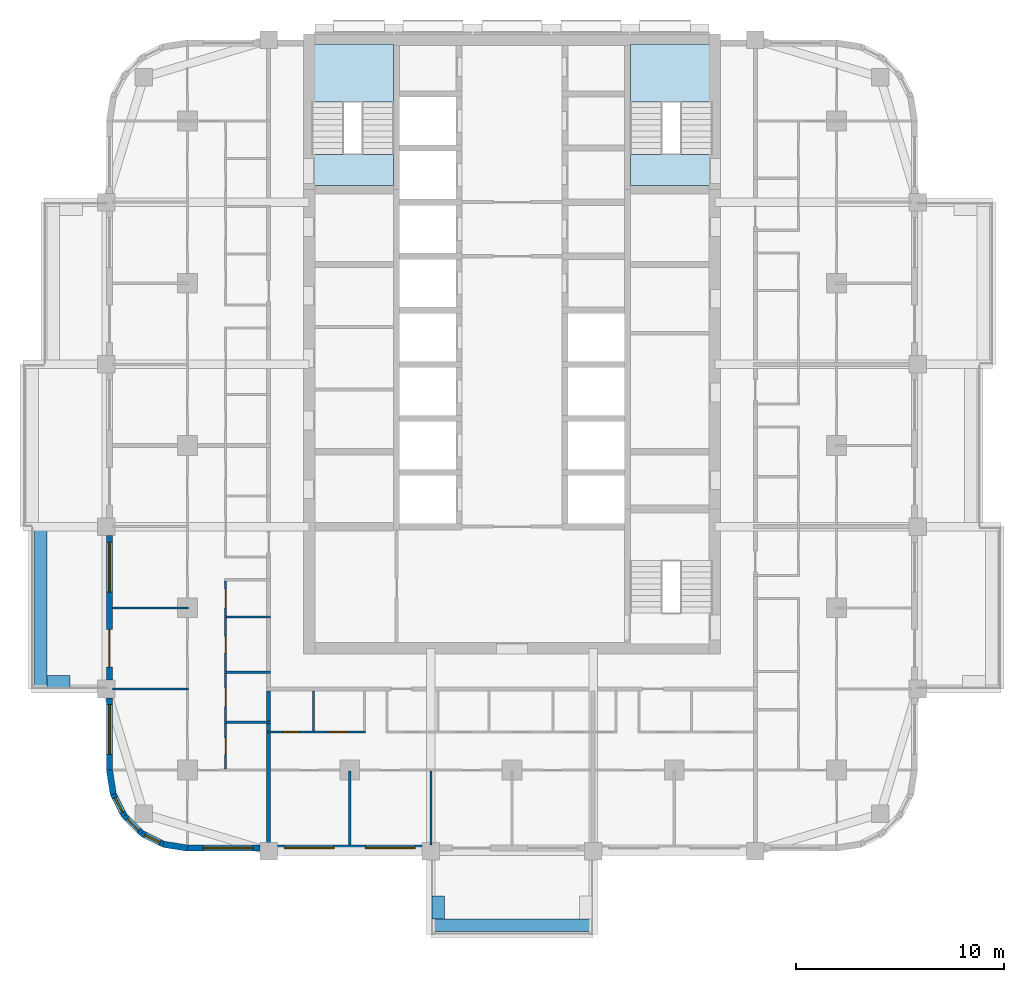
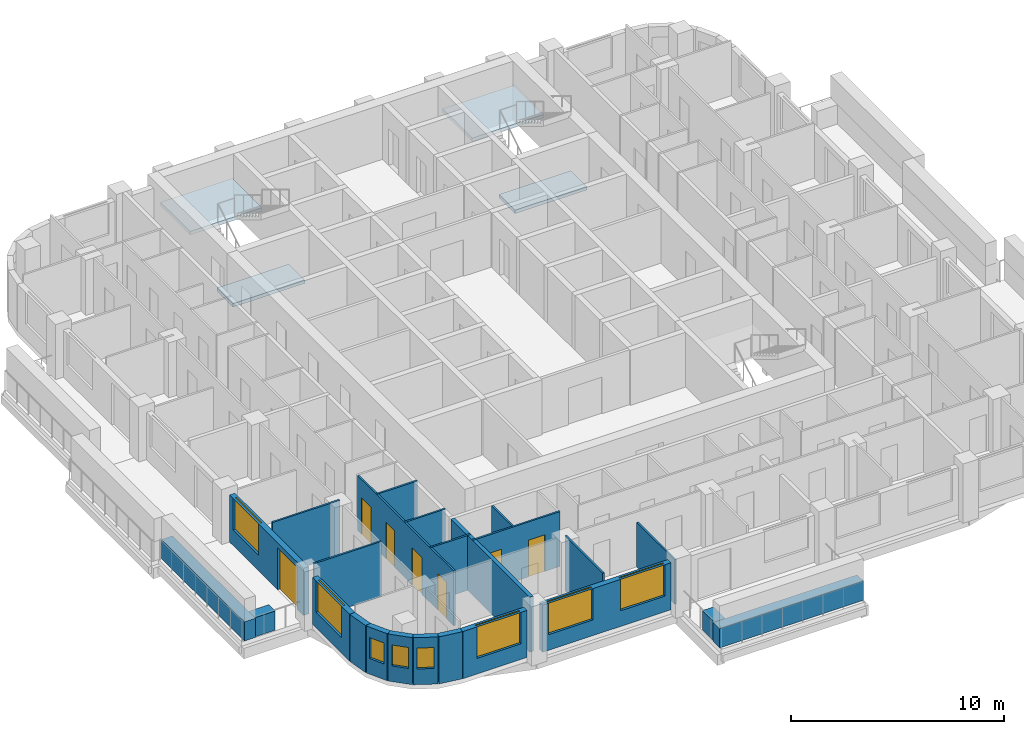
# One storey, part 2 of 14: 24 walls, 8 windows, 7 doors, 4 slabs, 15 openings, 2 elements without a shape of their own.
"""IFC4 building model written with IfcOpenShell, lengths in metres."""

from ifc_helpers import new_model, si_unit, direction, frame, frame_2d, origin, place, context, subcontext, project, spatial, polyline, rectangle, outline, extrude, material, layer, layer_set, type_object, element, fill, aggregate, save


model = new_model("IFC4")

# Units and contexts
model_context = context("Model", 3, precision=1e-05, world=origin(), true_north=direction((0.0, 1.0)))
body_context = subcontext(model_context, "Body", "Model", "MODEL_VIEW")
ifc_project = project(units=[si_unit("LENGTHUNIT", "METRE"), si_unit("AREAUNIT", "SQUARE_METRE"), si_unit("VOLUMEUNIT", "CUBIC_METRE"), si_unit("PLANEANGLEUNIT", "RADIAN"), si_unit("MASSUNIT", "GRAM", prefix="KILO")], contexts=[model_context])

# Site, building, storey
site_placement = place(None, origin())
site = spatial("IfcSite", under=ifc_project, at=site_placement, CompositionType="ELEMENT")
building_placement = place(site_placement, origin())
building = spatial("IfcBuilding", under=site, at=building_placement, Name="Ludao Terraces", CompositionType="ELEMENT")
storey_placement = place(building_placement, frame((0.0, 0.0, 103.300048828125)))
storey = spatial("IfcBuildingStorey", under=building, at=storey_placement, Name="L28", CompositionType="ELEMENT", Elevation=103.300048828125)

# Stair, slabs
ifc_material_1 = material(Name="Concrete C40", Category="concrete")
stair_type = type_object("IfcStairType", Name="INT Stair", PredefinedType="HALF_TURN_STAIR", material=ifc_material_1)
stair_1_placement = place(storey_placement, origin())
stair_1 = element("IfcStair", 1, at=stair_1_placement, inside=storey, type_object=stair_type, Name="EXIT STAIR 1", PredefinedType="HALF_TURN_STAIR")
ifc_layer_1 = layer(ifc_material_1, 0.199951171875)
ifc_layer_set_1 = layer_set([ifc_layer_1], Name="INT Stair landing 200")
slab_type = type_object("IfcSlabType", Name="INT Stair landing 200", PredefinedType="LANDING", material=ifc_layer_set_1)
slab_1_placement = place(storey_placement, frame((0.0, 0.0, 1.5)))
slab_1 = element("IfcSlab", 2, at=slab_1_placement, type_object=slab_type, Name="ST1 landing 1", PredefinedType="LANDING", context=body_context, shape_type="SweptSolid", body=[
    extrude(outline(polyline([(75.39990234375, 81.52001953125), (79.300048828125, 81.52001953125), (79.300048828125, 84.300048828125), (75.39990234375, 84.300048828125), (75.39990234375, 81.52001953125)])), origin(), (0.0, 0.0, 1.0), 0.199951171875),
])
slab_2_placement = place(storey_placement, frame((0.0, 0.0, -0.199951171875)))
slab_2 = element("IfcSlab", 3, at=slab_2_placement, type_object=slab_type, Name="ST1 landing 2", PredefinedType="LANDING", context=body_context, shape_type="SweptSolid", body=[
    extrude(outline(polyline([(75.39990234375, 77.5), (79.300048828125, 77.5), (79.300048828125, 79.0), (75.39990234375, 79.0), (75.39990234375, 77.5)])), origin(), (0.0, 0.0, 1.0), 0.199951171875),
])
aggregate(stair_1, [slab_1, slab_2])

stair_2_placement = place(storey_placement, origin())
stair_2 = element("IfcStair", 4, at=stair_2_placement, inside=storey, type_object=stair_type, Name="EXIT STAIR 2", PredefinedType="HALF_TURN_STAIR")
slab_3_placement = place(storey_placement, frame((0.0, 0.0, 1.5)))
slab_3 = element("IfcSlab", 5, at=slab_3_placement, type_object=slab_type, Name="ST2 landing 1", PredefinedType="LANDING", context=body_context, shape_type="SweptSolid", body=[
    extrude(outline(polyline([(90.699951171875, 81.52001953125), (94.60009765625, 81.52001953125), (94.60009765625, 84.300048828125), (90.699951171875, 84.300048828125), (90.699951171875, 81.52001953125)])), origin(), (0.0, 0.0, 1.0), 0.199951171875),
])
slab_4_placement = place(storey_placement, frame((0.0, 0.0, -0.199951171875)))
slab_4 = element("IfcSlab", 6, at=slab_4_placement, type_object=slab_type, Name="ST2 landing 2", PredefinedType="LANDING", context=body_context, shape_type="SweptSolid", body=[
    extrude(outline(polyline([(90.699951171875, 77.5), (94.60009765625, 77.5), (94.60009765625, 79.0), (90.699951171875, 79.0), (90.699951171875, 77.5)])), origin(), (0.0, 0.0, 1.0), 0.199951171875),
])
aggregate(stair_2, [slab_3, slab_4])

# Walls
ifc_layer_2 = layer(ifc_material_1, 0.60009765625)
ifc_layer_set_2 = layer_set([ifc_layer_2], Name="ENV Planter trough 600")
wall_type_1 = type_object("IfcWallType", Name="ENV Planter trough 600", PredefinedType="USERDEFINED", material=ifc_layer_set_2)
wall_1_placement = place(storey_placement, frame((81.10009765625, 41.949951171875, 0.0), z_axis=(0.0, 0.0, 1.0), x_axis=(1.0, 0.0, 0.0)))
element("IfcWall", 7, at=wall_1_placement, inside=storey, type_object=wall_type_1, Name="PL-L28-S1", ObjectType="PLANTER", PredefinedType="USERDEFINED", context=body_context, shape_type="SweptSolid", body=[
    extrude(rectangle(XDim=7.7998046875, YDim=0.60009765625, at=frame_2d((3.89990234375, 0.0))), origin(), (0.0, 0.0, 1.0), 1.099853515625),
])
wall_2_placement = place(storey_placement, frame((81.449951171875, 42.25, 0.0), z_axis=(0.0, 0.0, 1.0), x_axis=(0.0, 1.0, 0.0)))
element("IfcWall", 8, at=wall_2_placement, inside=storey, type_object=wall_type_1, Name="PL-L28-S1-SA", ObjectType="PLANTER", PredefinedType="USERDEFINED", context=body_context, shape_type="SweptSolid", body=[
    extrude(rectangle(XDim=1.10009765625, YDim=0.60009765625, at=frame_2d((0.550048828125, 0.0))), origin(), (0.0, 0.0, 1.0), 1.099853515625),
])
wall_3_placement = place(storey_placement, frame((62.35009765625, 53.300048828125, 0.0), z_axis=(0.0, 0.0, 1.0), x_axis=(0.0, 1.0, 0.0)))
element("IfcWall", 9, at=wall_3_placement, inside=storey, type_object=wall_type_1, Name="PL-L28-W1", ObjectType="PLANTER", PredefinedType="USERDEFINED", context=body_context, shape_type="SweptSolid", body=[
    extrude(rectangle(XDim=7.800048828125, YDim=0.60009765625, at=frame_2d((3.89990234375, 0.0))), origin(), (0.0, 0.0, 1.0), 1.099853515625),
])
wall_4_placement = place(storey_placement, frame((62.64990234375, 53.64990234375, 0.0), z_axis=(0.0, 0.0, 1.0), x_axis=(1.0, 0.0, 0.0)))
element("IfcWall", 10, at=wall_4_placement, inside=storey, type_object=wall_type_1, Name="PL-L28-W1-SA", ObjectType="PLANTER", PredefinedType="USERDEFINED", context=body_context, shape_type="SweptSolid", body=[
    extrude(rectangle(XDim=1.10009765625, YDim=0.60009765625, at=frame_2d((0.550048828125, 0.0))), origin(), (0.0, 0.0, 1.0), 1.099853515625),
])

# Wall, opening, window
ifc_material_2 = material(Name="Granite cladding", Category="masonry")
ifc_layer_3 = layer(ifc_material_2, 0.0400390625, Category="stone")
ifc_material_3 = material(Name="Mineral wool")
ifc_layer_4 = layer(ifc_material_3, 0.06005859375)
ifc_layer_5 = layer(ifc_material_1, 0.199951171875, Category="concrete")
ifc_layer_set_3 = layer_set([ifc_layer_3, ifc_layer_4, ifc_layer_5], Name="ENV Stone-clad wall 300")
wall_type_2 = type_object("IfcWallType", Name="ENV Stone-clad wall 300", PredefinedType="SOLIDWALL", material=ifc_layer_set_3)
wall_5_placement = place(storey_placement, frame((69.39990234375, 45.64990234375, 0.0), z_axis=(0.0, 0.0, 1.0), x_axis=(1.0, 0.0, 0.0)))
wall_5 = element("IfcWall", 11, at=wall_5_placement, inside=storey, type_object=wall_type_2, Name="EW-L28-S1", PredefinedType="SOLIDWALL", context=body_context, shape_type="SweptSolid", body=[
    extrude(rectangle(XDim=3.47509765625, YDim=0.300048828125, at=frame_2d((1.737548828125, 0.0))), origin(), (0.0, 0.0, 1.0), 2.699951171875),
])
opening_1_placement = place(wall_5_placement, frame((0.75, 0.0, 0.89990234375)))
opening_1 = element("IfcOpeningElement", 12, at=opening_1_placement, cuts=wall_5, Name="Opening W1", PredefinedType="OPENING", context=body_context, shape_type="SweptSolid", body=[
    extrude(rectangle(XDim=2.39990234375, YDim=1.800048828125, at=frame_2d((1.199951171875, 0.89990234375))), frame((0.0, 0.16015625, 0.0), z_axis=(0.0, -1.0, 0.0), x_axis=(1.0, 0.0, 0.0)), (0.0, 0.0, 1.0), 0.320068359375),
])
ifc_material_4 = material(Name="Clear glass in aluminium frame", Category="aluminium")
ifc_layer_6 = layer(ifc_material_4, 0.06005859375)
ifc_layer_set_4 = layer_set([ifc_layer_6], Name="ENV Window W1 2400x1800")
window_type_1 = type_object("IfcWindowType", Name="ENV Window W1 2400x1800", PartitioningType="DOUBLE_PANEL_VERTICAL", PredefinedType="WINDOW", material=ifc_layer_set_4)
window_1_placement = place(opening_1_placement, origin())
window_1 = element("IfcWindow", 13, at=window_1_placement, inside=storey, type_object=window_type_1, Name="W-L28-S1-1", OverallHeight=1.800048828125, OverallWidth=2.39990234375, PartitioningType="DOUBLE_PANEL_VERTICAL", PredefinedType="WINDOW", context=body_context, shape_type="SweptSolid", body=[
    extrude(rectangle(XDim=2.39990234375, YDim=1.800048828125, at=frame_2d((1.199951171875, 0.89990234375))), frame((0.0, 0.030029296875, 0.0), z_axis=(0.0, -1.0, 0.0), x_axis=(1.0, 0.0, 0.0)), (0.0, 0.0, 1.0), 0.06005859375),
])
fill(opening_1, window_1)

# Wall, openings, windows
wall_6_placement = place(storey_placement, frame((73.72509765625, 45.64990234375, 0.0), z_axis=(0.0, 0.0, 1.0), x_axis=(1.0, 0.0, 0.0)))
wall_6 = element("IfcWall", 14, at=wall_6_placement, inside=storey, type_object=wall_type_2, Name="EW-L28-S2", PredefinedType="SOLIDWALL", context=body_context, shape_type="SweptSolid", body=[
    extrude(rectangle(XDim=6.949951171875, YDim=0.300048828125, at=frame_2d((3.47509765625, 0.0))), origin(), (0.0, 0.0, 1.0), 2.699951171875),
])
opening_2_placement = place(wall_6_placement, frame((0.324951171875, 0.0, 0.89990234375)))
opening_2 = element("IfcOpeningElement", 15, at=opening_2_placement, cuts=wall_6, Name="Opening W1", PredefinedType="OPENING", context=body_context, shape_type="SweptSolid", body=[
    extrude(rectangle(XDim=2.39990234375, YDim=1.800048828125, at=frame_2d((1.199951171875, 0.89990234375))), frame((0.0, 0.16015625, 0.0), z_axis=(0.0, -1.0, 0.0), x_axis=(1.0, 0.0, 0.0)), (0.0, 0.0, 1.0), 0.320068359375),
])
opening_3_placement = place(wall_6_placement, frame((4.22509765625, 0.0, 0.89990234375)))
opening_3 = element("IfcOpeningElement", 16, at=opening_3_placement, cuts=wall_6, Name="Opening W1", PredefinedType="OPENING", context=body_context, shape_type="SweptSolid", body=[
    extrude(rectangle(XDim=2.39990234375, YDim=1.800048828125, at=frame_2d((1.199951171875, 0.89990234375))), frame((0.0, 0.16015625, 0.0), z_axis=(0.0, -1.0, 0.0), x_axis=(1.0, 0.0, 0.0)), (0.0, 0.0, 1.0), 0.320068359375),
])
window_2_placement = place(opening_2_placement, origin())
window_2 = element("IfcWindow", 17, at=window_2_placement, inside=storey, type_object=window_type_1, Name="W-L28-S2-1", OverallHeight=1.800048828125, OverallWidth=2.39990234375, PartitioningType="DOUBLE_PANEL_VERTICAL", PredefinedType="WINDOW", context=body_context, shape_type="SweptSolid", body=[
    extrude(rectangle(XDim=2.39990234375, YDim=1.800048828125, at=frame_2d((1.199951171875, 0.89990234375))), frame((0.0, 0.030029296875, 0.0), z_axis=(0.0, -1.0, 0.0), x_axis=(1.0, 0.0, 0.0)), (0.0, 0.0, 1.0), 0.06005859375),
])
fill(opening_2, window_2)
window_3_placement = place(opening_3_placement, origin())
window_3 = element("IfcWindow", 18, at=window_3_placement, inside=storey, type_object=window_type_1, Name="W-L28-S2-2", OverallHeight=1.800048828125, OverallWidth=2.39990234375, PartitioningType="DOUBLE_PANEL_VERTICAL", PredefinedType="WINDOW", context=body_context, shape_type="SweptSolid", body=[
    extrude(rectangle(XDim=2.39990234375, YDim=1.800048828125, at=frame_2d((1.199951171875, 0.89990234375))), frame((0.0, 0.030029296875, 0.0), z_axis=(0.0, -1.0, 0.0), x_axis=(1.0, 0.0, 0.0)), (0.0, 0.0, 1.0), 0.06005859375),
])
fill(opening_3, window_3)

# Wall, opening, window
wall_7_placement = place(storey_placement, frame((65.64990234375, 49.39990234375, 0.0), z_axis=(0.0, 0.0, 1.0), x_axis=(0.0, 1.0, 0.0)))
wall_7 = element("IfcWall", 19, at=wall_7_placement, inside=storey, type_object=wall_type_2, Name="EW-L28-W1", PredefinedType="SOLIDWALL", context=body_context, shape_type="SweptSolid", body=[
    extrude(rectangle(XDim=3.47509765625, YDim=0.300048828125, at=frame_2d((1.737548828125, 0.0))), origin(), (0.0, 0.0, 1.0), 2.699951171875),
])
opening_4_placement = place(wall_7_placement, frame((0.75, 0.0, 0.89990234375)))
opening_4 = element("IfcOpeningElement", 20, at=opening_4_placement, cuts=wall_7, Name="Opening W1", PredefinedType="OPENING", context=body_context, shape_type="SweptSolid", body=[
    extrude(rectangle(XDim=2.39990234375, YDim=1.800048828125, at=frame_2d((1.199951171875, 0.89990234375))), frame((0.0, 0.16015625, 0.0), z_axis=(0.0, -1.0, 0.0), x_axis=(1.0, 0.0, 0.0)), (0.0, 0.0, 1.0), 0.320068359375),
])
window_4_placement = place(opening_4_placement, origin())
window_4 = element("IfcWindow", 21, at=window_4_placement, inside=storey, type_object=window_type_1, Name="W-L28-W1-1", OverallHeight=1.800048828125, OverallWidth=2.39990234375, PartitioningType="DOUBLE_PANEL_VERTICAL", PredefinedType="WINDOW", context=body_context, shape_type="SweptSolid", body=[
    extrude(rectangle(XDim=2.39990234375, YDim=1.800048828125, at=frame_2d((1.199951171875, 0.89990234375))), frame((0.0, 0.030029296875, 0.0), z_axis=(0.0, -1.0, 0.0), x_axis=(1.0, 0.0, 0.0)), (0.0, 0.0, 1.0), 0.06005859375),
])
fill(opening_4, window_4)

# Wall, openings, door, window
wall_8_placement = place(storey_placement, frame((65.64990234375, 53.72509765625, 0.0), z_axis=(0.0, 0.0, 1.0), x_axis=(0.0, 1.0, 0.0)))
wall_8 = element("IfcWall", 22, at=wall_8_placement, inside=storey, type_object=wall_type_2, Name="EW-L28-W2", PredefinedType="SOLIDWALL", context=body_context, shape_type="SweptSolid", body=[
    extrude(rectangle(XDim=6.949951171875, YDim=0.300048828125, at=frame_2d((3.47509765625, 0.0))), origin(), (0.0, 0.0, 1.0), 2.699951171875),
])
opening_5_placement = place(wall_8_placement, frame((0.625, 0.0, 0.0)))
opening_5 = element("IfcOpeningElement", 23, at=opening_5_placement, cuts=wall_8, Name="Opening BD", PredefinedType="OPENING", context=body_context, shape_type="SweptSolid", body=[
    extrude(rectangle(XDim=1.800048828125, YDim=2.39990234375, at=frame_2d((0.89990234375, 1.199951171875))), frame((0.0, 0.16015625, 0.0), z_axis=(0.0, -1.0, 0.0), x_axis=(1.0, 0.0, 0.0)), (0.0, 0.0, 1.0), 0.320068359375),
])
opening_6_placement = place(wall_8_placement, frame((4.22509765625, 0.0, 0.89990234375)))
opening_6 = element("IfcOpeningElement", 24, at=opening_6_placement, cuts=wall_8, Name="Opening W1", PredefinedType="OPENING", context=body_context, shape_type="SweptSolid", body=[
    extrude(rectangle(XDim=2.39990234375, YDim=1.800048828125, at=frame_2d((1.199951171875, 0.89990234375))), frame((0.0, 0.16015625, 0.0), z_axis=(0.0, -1.0, 0.0), x_axis=(1.0, 0.0, 0.0)), (0.0, 0.0, 1.0), 0.320068359375),
])
ifc_material_5 = material(Name="Aluminium glazed door", Category="aluminium")
ifc_layer_7 = layer(ifc_material_5, 0.06005859375)
ifc_layer_set_5 = layer_set([ifc_layer_7], Name="ENV Balcony door BD 1800x2400")
door_type_1 = type_object("IfcDoorType", Name="ENV Balcony door BD 1800x2400", OperationType="DOUBLE_DOOR_SINGLE_SWING", PredefinedType="DOOR", material=ifc_layer_set_5)
door_1_placement = place(opening_5_placement, origin())
door_1 = element("IfcDoor", 25, at=door_1_placement, inside=storey, type_object=door_type_1, Name="BD-L28-W2-1", OperationType="DOUBLE_DOOR_SINGLE_SWING", OverallHeight=2.39990234375, OverallWidth=1.800048828125, PredefinedType="DOOR", context=body_context, shape_type="SweptSolid", body=[
    extrude(rectangle(XDim=1.800048828125, YDim=2.39990234375, at=frame_2d((0.89990234375, 1.199951171875))), frame((0.0, 0.02490234375, 0.0), z_axis=(0.0, -1.0, 0.0), x_axis=(1.0, 0.0, 0.0)), (0.0, 0.0, 1.0), 0.050048828125),
])
fill(opening_5, door_1)
window_5_placement = place(opening_6_placement, origin())
window_5 = element("IfcWindow", 26, at=window_5_placement, inside=storey, type_object=window_type_1, Name="W-L28-W2-2", OverallHeight=1.800048828125, OverallWidth=2.39990234375, PartitioningType="DOUBLE_PANEL_VERTICAL", PredefinedType="WINDOW", context=body_context, shape_type="SweptSolid", body=[
    extrude(rectangle(XDim=2.39990234375, YDim=1.800048828125, at=frame_2d((1.199951171875, 0.89990234375))), frame((0.0, 0.030029296875, 0.0), z_axis=(0.0, -1.0, 0.0), x_axis=(1.0, 0.0, 0.0)), (0.0, 0.0, 1.0), 0.06005859375),
])
fill(opening_6, window_5)

# Wall
wall_9_placement = place(storey_placement, frame((65.64990234375, 49.39990234375, 0.0), z_axis=(0.0, 0.0, 1.0), x_axis=(0.156496880861, -0.987678452879, 0.0)))
element("IfcWall", 27, at=wall_9_placement, inside=storey, type_object=wall_type_2, Name="EW-L28-SW1", PredefinedType="SOLIDWALL", context=body_context, shape_type="SweptSolid", body=[
    extrude(rectangle(XDim=1.173095703125, YDim=0.300048828125, at=frame_2d((0.58642578125, 0.0))), origin(), (0.0, 0.0, 1.0), 2.699951171875),
])

# Wall, opening, window
wall_10_placement = place(storey_placement, frame((65.83349609375, 48.2412109375, 0.0), z_axis=(0.0, 0.0, 1.0), x_axis=(0.454025524128, -0.890988677504, 0.0)))
wall_10 = element("IfcWall", 28, at=wall_10_placement, inside=storey, type_object=wall_type_2, Name="EW-L28-SW2", PredefinedType="SOLIDWALL", context=body_context, shape_type="SweptSolid", body=[
    extrude(rectangle(XDim=1.17333984375, YDim=0.300048828125, at=frame_2d((0.586669921875, 0.0))), origin(), (0.0, 0.0, 1.0), 2.699951171875),
])
opening_7_placement = place(wall_10_placement, frame((0.1865234375, 0.0, 0.89990234375)))
opening_7 = element("IfcOpeningElement", 29, at=opening_7_placement, cuts=wall_10, Name="Opening W3", PredefinedType="OPENING", context=body_context, shape_type="SweptSolid", body=[
    extrude(rectangle(XDim=0.800048828125, YDim=1.199951171875, at=frame_2d((0.39990234375, 0.60009765625))), frame((0.0, 0.16015625, 0.0), z_axis=(0.0, -1.0, 0.0), x_axis=(1.0, 0.0, 0.0)), (0.0, 0.0, 1.0), 0.320068359375),
])
ifc_layer_8 = layer(ifc_material_4, 0.06005859375)
ifc_layer_set_6 = layer_set([ifc_layer_8], Name="ENV Window W3 800x1200")
window_type_2 = type_object("IfcWindowType", Name="ENV Window W3 800x1200", PartitioningType="SINGLE_PANEL", PredefinedType="WINDOW", material=ifc_layer_set_6)
window_6_placement = place(opening_7_placement, origin())
window_6 = element("IfcWindow", 30, at=window_6_placement, inside=storey, type_object=window_type_2, Name="W-L28-SW2", OverallHeight=1.199951171875, OverallWidth=0.800048828125, PartitioningType="SINGLE_PANEL", PredefinedType="WINDOW", context=body_context, shape_type="SweptSolid", body=[
    extrude(rectangle(XDim=0.800048828125, YDim=1.199951171875, at=frame_2d((0.39990234375, 0.60009765625))), frame((0.0, 0.030029296875, 0.0), z_axis=(0.0, -1.0, 0.0), x_axis=(1.0, 0.0, 0.0)), (0.0, 0.0, 1.0), 0.06005859375),
])
fill(opening_7, window_6)

wall_11_placement = place(storey_placement, frame((66.3662109375, 47.19580078125, 0.0), z_axis=(0.0, 0.0, 1.0), x_axis=(0.707106781187, -0.707106781187, 0.0)))
wall_11 = element("IfcWall", 31, at=wall_11_placement, inside=storey, type_object=wall_type_2, Name="EW-L28-SW3", PredefinedType="SOLIDWALL", context=body_context, shape_type="SweptSolid", body=[
    extrude(rectangle(XDim=1.173095703125, YDim=0.300048828125, at=frame_2d((0.58642578125, 0.0))), origin(), (0.0, 0.0, 1.0), 2.699951171875),
])
opening_8_placement = place(wall_11_placement, frame((0.1865234375, 0.0, 0.89990234375)))
opening_8 = element("IfcOpeningElement", 32, at=opening_8_placement, cuts=wall_11, Name="Opening W3", PredefinedType="OPENING", context=body_context, shape_type="SweptSolid", body=[
    extrude(rectangle(XDim=0.800048828125, YDim=1.199951171875, at=frame_2d((0.39990234375, 0.60009765625))), frame((0.0, 0.16015625, 0.0), z_axis=(0.0, -1.0, 0.0), x_axis=(1.0, 0.0, 0.0)), (0.0, 0.0, 1.0), 0.320068359375),
])
window_7_placement = place(opening_8_placement, origin())
window_7 = element("IfcWindow", 33, at=window_7_placement, inside=storey, type_object=window_type_2, Name="W-L28-SW3", OverallHeight=1.199951171875, OverallWidth=0.800048828125, PartitioningType="SINGLE_PANEL", PredefinedType="WINDOW", context=body_context, shape_type="SweptSolid", body=[
    extrude(rectangle(XDim=0.800048828125, YDim=1.199951171875, at=frame_2d((0.39990234375, 0.60009765625))), frame((0.0, 0.030029296875, 0.0), z_axis=(0.0, -1.0, 0.0), x_axis=(1.0, 0.0, 0.0)), (0.0, 0.0, 1.0), 0.06005859375),
])
fill(opening_8, window_7)

wall_12_placement = place(storey_placement, frame((67.19580078125, 46.3662109375, 0.0), z_axis=(0.0, 0.0, 1.0), x_axis=(0.890988677504, -0.454025524128, 0.0)))
wall_12 = element("IfcWall", 34, at=wall_12_placement, inside=storey, type_object=wall_type_2, Name="EW-L28-SW4", PredefinedType="SOLIDWALL", context=body_context, shape_type="SweptSolid", body=[
    extrude(rectangle(XDim=1.17333984375, YDim=0.300048828125, at=frame_2d((0.586669921875, 0.0))), origin(), (0.0, 0.0, 1.0), 2.699951171875),
])
opening_9_placement = place(wall_12_placement, frame((0.1865234375, 0.0, 0.89990234375)))
opening_9 = element("IfcOpeningElement", 35, at=opening_9_placement, cuts=wall_12, Name="Opening W3", PredefinedType="OPENING", context=body_context, shape_type="SweptSolid", body=[
    extrude(rectangle(XDim=0.800048828125, YDim=1.199951171875, at=frame_2d((0.39990234375, 0.60009765625))), frame((0.0, 0.16015625, 0.0), z_axis=(0.0, -1.0, 0.0), x_axis=(1.0, 0.0, 0.0)), (0.0, 0.0, 1.0), 0.320068359375),
])
window_8_placement = place(opening_9_placement, origin())
window_8 = element("IfcWindow", 36, at=window_8_placement, inside=storey, type_object=window_type_2, Name="W-L28-SW4", OverallHeight=1.199951171875, OverallWidth=0.800048828125, PartitioningType="SINGLE_PANEL", PredefinedType="WINDOW", context=body_context, shape_type="SweptSolid", body=[
    extrude(rectangle(XDim=0.800048828125, YDim=1.199951171875, at=frame_2d((0.39990234375, 0.60009765625))), frame((0.0, 0.030029296875, 0.0), z_axis=(0.0, -1.0, 0.0), x_axis=(1.0, 0.0, 0.0)), (0.0, 0.0, 1.0), 0.06005859375),
])
fill(opening_9, window_8)

# Wall
wall_13_placement = place(storey_placement, frame((68.2412109375, 45.83349609375, 0.0), z_axis=(0.0, 0.0, 1.0), x_axis=(0.987678452879, -0.156496880861, 0.0)))
element("IfcWall", 37, at=wall_13_placement, inside=storey, type_object=wall_type_2, Name="EW-L28-SW5", PredefinedType="SOLIDWALL", context=body_context, shape_type="SweptSolid", body=[
    extrude(rectangle(XDim=1.173095703125, YDim=0.300048828125, at=frame_2d((0.58642578125, 0.0))), origin(), (0.0, 0.0, 1.0), 2.699951171875),
])

# Wall, openings, doors
ifc_material_6 = material(Name="Gypsum plasterboard", Category="gypsum")
ifc_layer_9 = layer(ifc_material_6, 0.012451171875, Category="gypsum")
ifc_layer_10 = layer(ifc_material_3, 0.06005859375, Name="insulation")
ifc_material_7 = material(Name="Steel Q235", Category="steel")
ifc_layer_11 = layer(ifc_material_7, 0.014892578125, Name="stud")
ifc_layer_12 = layer(ifc_material_6, 0.012451171875, Category="gypsum")
ifc_layer_set_7 = layer_set([ifc_layer_9, ifc_layer_10, ifc_layer_11, ifc_layer_12], Name="INT Partition 100")
wall_type_3 = type_object("IfcWallType", Name="INT Partition 100", PredefinedType="PARTITIONING", material=ifc_layer_set_7)
wall_14_placement = place(storey_placement, frame((73.2001953125, 51.22998046875, 0.0), z_axis=(0.0, 0.0, 1.0), x_axis=(1.0, 0.0, 0.0)))
wall_14 = element("IfcWall", 38, at=wall_14_placement, inside=storey, type_object=wall_type_3, Name="PW-L28-PW001", PredefinedType="PARTITIONING", context=body_context, shape_type="SweptSolid", body=[
    extrude(rectangle(XDim=4.75, YDim=0.10009765625, at=frame_2d((2.375, 0.0))), origin(), (0.0, 0.0, 1.0), 3.14990234375),
])
opening_10_placement = place(wall_14_placement, frame((0.77490234375, 0.0, 0.0)))
opening_10 = element("IfcOpeningElement", 39, at=opening_10_placement, cuts=wall_14, Name="Opening R08-013", PredefinedType="OPENING", context=body_context, shape_type="SweptSolid", body=[
    extrude(rectangle(XDim=0.800048828125, YDim=2.10009765625, at=frame_2d((0.39990234375, 1.050048828125))), frame((0.0, 0.06005859375, 0.0), z_axis=(0.0, -1.0, 0.0), x_axis=(1.0, 0.0, 0.0)), (0.0, 0.0, 1.0), 0.1201171875),
])
opening_11_placement = place(wall_14_placement, frame((3.02490234375, 0.0, 0.0)))
opening_11 = element("IfcOpeningElement", 40, at=opening_11_placement, cuts=wall_14, Name="Opening R08-014", PredefinedType="OPENING", context=body_context, shape_type="SweptSolid", body=[
    extrude(rectangle(XDim=0.89990234375, YDim=2.10009765625, at=frame_2d((0.449951171875, 1.050048828125))), frame((0.0, 0.06005859375, 0.0), z_axis=(0.0, -1.0, 0.0), x_axis=(1.0, 0.0, 0.0)), (0.0, 0.0, 1.0), 0.1201171875),
])
ifc_material_8 = material(Name="Timber door leaf", Category="wood")
door_type_2 = type_object("IfcDoorType", Name="INT Bathroom door 900", OperationType="SINGLE_SWING_LEFT", PredefinedType="DOOR", material=ifc_material_8)
door_2_placement = place(opening_11_placement, origin())
door_2 = element("IfcDoor", 41, at=door_2_placement, inside=storey, type_object=door_type_2, Name="DOOR 014", OperationType="SINGLE_SWING_RIGHT", OverallHeight=2.10009765625, OverallWidth=0.89990234375, PredefinedType="DOOR", context=body_context, shape_type="SweptSolid", body=[
    extrude(rectangle(XDim=0.89990234375, YDim=2.10009765625, at=frame_2d((0.449951171875, 1.050048828125))), frame((0.0, 0.02490234375, 0.0), z_axis=(0.0, -1.0, 0.0), x_axis=(1.0, 0.0, 0.0)), (0.0, 0.0, 1.0), 0.050048828125),
])
fill(opening_11, door_2)
door_type_3 = type_object("IfcDoorType", Name="INT Store door 800", OperationType="SINGLE_SWING_LEFT", PredefinedType="DOOR", material=ifc_material_8)
door_3_placement = place(opening_10_placement, origin())
door_3 = element("IfcDoor", 42, at=door_3_placement, inside=storey, type_object=door_type_3, Name="DOOR 013", OperationType="SINGLE_SWING_LEFT", OverallHeight=2.10009765625, OverallWidth=0.800048828125, PredefinedType="DOOR", context=body_context, shape_type="SweptSolid", body=[
    extrude(rectangle(XDim=0.800048828125, YDim=2.10009765625, at=frame_2d((0.39990234375, 1.050048828125))), frame((0.0, 0.02490234375, 0.0), z_axis=(0.0, -1.0, 0.0), x_axis=(1.0, 0.0, 0.0)), (0.0, 0.0, 1.0), 0.050048828125),
])
fill(opening_10, door_3)

# Walls
wall_15_placement = place(storey_placement, frame((71.18017578125, 51.699951171875, 0.0), z_axis=(0.0, 0.0, 1.0), x_axis=(1.0, 0.0, 0.0)))
element("IfcWall", 43, at=wall_15_placement, inside=storey, type_object=wall_type_3, Name="PW-L28-PW004", PredefinedType="PARTITIONING", context=body_context, shape_type="SweptSolid", body=[
    extrude(rectangle(XDim=2.219970703125, YDim=0.10009765625, at=frame_2d((1.10986328125, 0.0))), origin(), (0.0, 0.0, 1.0), 3.14990234375),
])
wall_16_placement = place(storey_placement, frame((65.800048828125, 53.300048828125, 0.0), z_axis=(0.0, 0.0, 1.0), x_axis=(1.0, 0.0, 0.0)))
element("IfcWall", 44, at=wall_16_placement, inside=storey, type_object=wall_type_3, Name="PW-L28-PW006", PredefinedType="PARTITIONING", context=body_context, shape_type="SweptSolid", body=[
    extrude(rectangle(XDim=3.650146484375, YDim=0.10009765625, at=frame_2d((1.8251953125, 0.0))), origin(), (0.0, 0.0, 1.0), 3.14990234375),
])
for number, where, z_axis, x_axis, name in (
    (45, (71.18017578125, 54.10009765625, 0.0), (0.0, 0.0, 1.0), (1.0, 0.0, 0.0), "PW-L28-PW009"),
    (46, (71.18017578125, 56.75, 0.0), (0.0, 0.0, 1.0), (1.0, 0.0, 0.0), "PW-L28-PW011"),
):
    element("IfcWall", number, at=place(storey_placement, frame(where, z_axis=z_axis, x_axis=x_axis)), inside=storey, type_object=wall_type_3, Name=name, PredefinedType="PARTITIONING", context=body_context, shape_type="SweptSolid", body=[
        extrude(rectangle(XDim=2.219970703125, YDim=0.10009765625, at=frame_2d((1.10986328125, 0.0))), origin(), (0.0, 0.0, 1.0), 3.14990234375),
    ])
wall_17_placement = place(storey_placement, frame((65.800048828125, 57.199951171875, 0.0), z_axis=(0.0, 0.0, 1.0), x_axis=(1.0, 0.0, 0.0)))
element("IfcWall", 47, at=wall_17_placement, inside=storey, type_object=wall_type_3, Name="PW-L28-PW012", PredefinedType="PARTITIONING", context=body_context, shape_type="SweptSolid", body=[
    extrude(rectangle(XDim=3.650146484375, YDim=0.10009765625, at=frame_2d((1.8251953125, 0.0))), origin(), (0.0, 0.0, 1.0), 3.14990234375),
])

# Wall, openings, doors
wall_18_placement = place(storey_placement, frame((71.22998046875, 49.4501953125, 0.0), z_axis=(0.0, 0.0, 1.0), x_axis=(0.0, 1.0, 0.0)))
wall_18 = element("IfcWall", 48, at=wall_18_placement, inside=storey, type_object=wall_type_3, Name="PW-L28-PW051", PredefinedType="PARTITIONING", context=body_context, shape_type="SweptSolid", body=[
    extrude(rectangle(XDim=9.0498046875, YDim=0.10009765625, at=frame_2d((4.52490234375, 0.0))), origin(), (0.0, 0.0, 1.0), 3.14990234375),
])
opening_12_placement = place(wall_18_placement, frame((0.699951171875, 0.0, 0.0)))
opening_12 = element("IfcOpeningElement", 49, at=opening_12_placement, cuts=wall_18, Name="Opening R08-011", PredefinedType="OPENING", context=body_context, shape_type="SweptSolid", body=[
    extrude(rectangle(XDim=0.800048828125, YDim=2.10009765625, at=frame_2d((0.39990234375, 1.050048828125))), frame((0.0, 0.06005859375, 0.0), z_axis=(0.0, -1.0, 0.0), x_axis=(1.0, 0.0, 0.0)), (0.0, 0.0, 1.0), 0.1201171875),
])
opening_13_placement = place(wall_18_placement, frame((3.0, 0.0, 0.0)))
opening_13 = element("IfcOpeningElement", 50, at=opening_13_placement, cuts=wall_18, Name="Opening R08-024", PredefinedType="OPENING", context=body_context, shape_type="SweptSolid", body=[
    extrude(rectangle(XDim=0.89990234375, YDim=2.10009765625, at=frame_2d((0.449951171875, 1.050048828125))), frame((0.0, 0.06005859375, 0.0), z_axis=(0.0, -1.0, 0.0), x_axis=(1.0, 0.0, 0.0)), (0.0, 0.0, 1.0), 0.1201171875),
])
opening_14_placement = place(wall_18_placement, frame((5.574951171875, 0.0, 0.0)))
opening_14 = element("IfcOpeningElement", 51, at=opening_14_placement, cuts=wall_18, Name="Opening R08-031", PredefinedType="OPENING", context=body_context, shape_type="SweptSolid", body=[
    extrude(rectangle(XDim=0.800048828125, YDim=2.10009765625, at=frame_2d((0.39990234375, 1.050048828125))), frame((0.0, 0.06005859375, 0.0), z_axis=(0.0, -1.0, 0.0), x_axis=(1.0, 0.0, 0.0)), (0.0, 0.0, 1.0), 0.1201171875),
])
opening_15_placement = place(wall_18_placement, frame((7.75, 0.0, 0.0)))
opening_15 = element("IfcOpeningElement", 52, at=opening_15_placement, cuts=wall_18, Name="Opening R08-035", PredefinedType="OPENING", context=body_context, shape_type="SweptSolid", body=[
    extrude(rectangle(XDim=0.89990234375, YDim=2.10009765625, at=frame_2d((0.449951171875, 1.050048828125))), frame((0.0, 0.06005859375, 0.0), z_axis=(0.0, -1.0, 0.0), x_axis=(1.0, 0.0, 0.0)), (0.0, 0.0, 1.0), 0.1201171875),
])
door_4_placement = place(opening_13_placement, origin())
door_4 = element("IfcDoor", 53, at=door_4_placement, inside=storey, type_object=door_type_2, Name="DOOR 024", OperationType="SINGLE_SWING_RIGHT", OverallHeight=2.10009765625, OverallWidth=0.89990234375, PredefinedType="DOOR", context=body_context, shape_type="SweptSolid", body=[
    extrude(rectangle(XDim=0.89990234375, YDim=2.10009765625, at=frame_2d((0.449951171875, 1.050048828125))), frame((0.0, 0.02490234375, 0.0), z_axis=(0.0, -1.0, 0.0), x_axis=(1.0, 0.0, 0.0)), (0.0, 0.0, 1.0), 0.050048828125),
])
fill(opening_13, door_4)
door_5_placement = place(opening_15_placement, origin())
door_5 = element("IfcDoor", 54, at=door_5_placement, inside=storey, type_object=door_type_2, Name="DOOR 035", OperationType="SINGLE_SWING_RIGHT", OverallHeight=2.10009765625, OverallWidth=0.89990234375, PredefinedType="DOOR", context=body_context, shape_type="SweptSolid", body=[
    extrude(rectangle(XDim=0.89990234375, YDim=2.10009765625, at=frame_2d((0.449951171875, 1.050048828125))), frame((0.0, 0.02490234375, 0.0), z_axis=(0.0, -1.0, 0.0), x_axis=(1.0, 0.0, 0.0)), (0.0, 0.0, 1.0), 0.050048828125),
])
fill(opening_15, door_5)
door_6_placement = place(opening_12_placement, origin())
door_6 = element("IfcDoor", 55, at=door_6_placement, inside=storey, type_object=door_type_3, Name="DOOR 011", OperationType="SINGLE_SWING_RIGHT", OverallHeight=2.10009765625, OverallWidth=0.800048828125, PredefinedType="DOOR", context=body_context, shape_type="SweptSolid", body=[
    extrude(rectangle(XDim=0.800048828125, YDim=2.10009765625, at=frame_2d((0.39990234375, 1.050048828125))), frame((0.0, 0.02490234375, 0.0), z_axis=(0.0, -1.0, 0.0), x_axis=(1.0, 0.0, 0.0)), (0.0, 0.0, 1.0), 0.050048828125),
])
fill(opening_12, door_6)
door_7_placement = place(opening_14_placement, origin())
door_7 = element("IfcDoor", 56, at=door_7_placement, inside=storey, type_object=door_type_3, Name="DOOR 031", OperationType="SINGLE_SWING_RIGHT", OverallHeight=2.10009765625, OverallWidth=0.800048828125, PredefinedType="DOOR", context=body_context, shape_type="SweptSolid", body=[
    extrude(rectangle(XDim=0.800048828125, YDim=2.10009765625, at=frame_2d((0.39990234375, 1.050048828125))), frame((0.0, 0.02490234375, 0.0), z_axis=(0.0, -1.0, 0.0), x_axis=(1.0, 0.0, 0.0)), (0.0, 0.0, 1.0), 0.050048828125),
])
fill(opening_14, door_7)

# Walls
wall_19_placement = place(storey_placement, frame((75.449951171875, 51.280029296875, 0.0), z_axis=(0.0, 0.0, 1.0), x_axis=(0.0, 1.0, 0.0)))
element("IfcWall", 57, at=wall_19_placement, inside=storey, type_object=wall_type_3, Name="PW-L28-PW056", PredefinedType="PARTITIONING", context=body_context, shape_type="SweptSolid", body=[
    extrude(rectangle(XDim=1.920166015625, YDim=0.10009765625, at=frame_2d((0.9599609375, 0.0))), origin(), (0.0, 0.0, 1.0), 3.14990234375),
])
wall_20_placement = place(storey_placement, frame((77.199951171875, 45.800048828125, 0.0), z_axis=(0.0, 0.0, 1.0), x_axis=(0.0, 1.0, 0.0)))
element("IfcWall", 58, at=wall_20_placement, inside=storey, type_object=wall_type_3, Name="PW-L28-PW057", PredefinedType="PARTITIONING", context=body_context, shape_type="SweptSolid", body=[
    extrude(rectangle(XDim=3.550048828125, YDim=0.10009765625, at=frame_2d((1.77490234375, 0.0))), origin(), (0.0, 0.0, 1.0), 3.14990234375),
])
wall_21_placement = place(storey_placement, frame((81.10009765625, 45.800048828125, 0.0), z_axis=(0.0, 0.0, 1.0), x_axis=(0.0, 1.0, 0.0)))
element("IfcWall", 59, at=wall_21_placement, inside=storey, type_object=wall_type_3, Name="PW-L28-PW061", PredefinedType="PARTITIONING", context=body_context, shape_type="SweptSolid", body=[
    extrude(rectangle(XDim=3.550048828125, YDim=0.10009765625, at=frame_2d((1.77490234375, 0.0))), origin(), (0.0, 0.0, 1.0), 2.5498046875),
])
ifc_material_9 = material(Name="Autoclaved aerated concrete block B06 A3.5", Category="concrete")
ifc_layer_13 = layer(ifc_material_9, 0.199951171875)
ifc_layer_set_8 = layer_set([ifc_layer_13], Name="INT Party wall 200")
wall_type_4 = type_object("IfcWallType", Name="INT Party wall 200", PredefinedType="PARTITIONING", material=ifc_layer_set_8)
wall_22_placement = place(storey_placement, frame((73.300048828125, 45.800048828125, 0.0), z_axis=(0.0, 0.0, 1.0), x_axis=(0.0, 1.0, 0.0)))
element("IfcWall", 60, at=wall_22_placement, inside=storey, type_object=wall_type_4, Name="PW-L28-PW054", PredefinedType="PARTITIONING", context=body_context, shape_type="SweptSolid", body=[
    extrude(rectangle(XDim=7.400146484375, YDim=0.199951171875, at=frame_2d((3.7001953125, 0.0))), origin(), (0.0, 0.0, 1.0), 3.14990234375),
])

save(model, "model.ifc")
